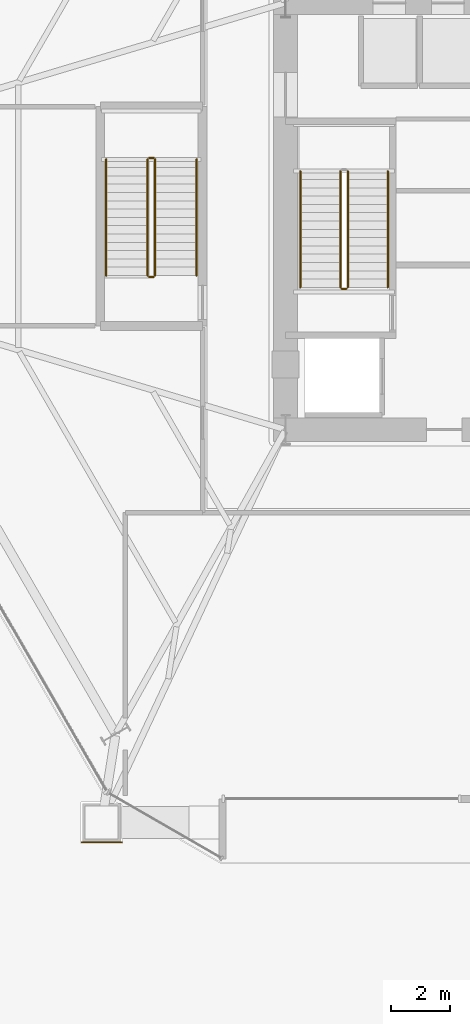
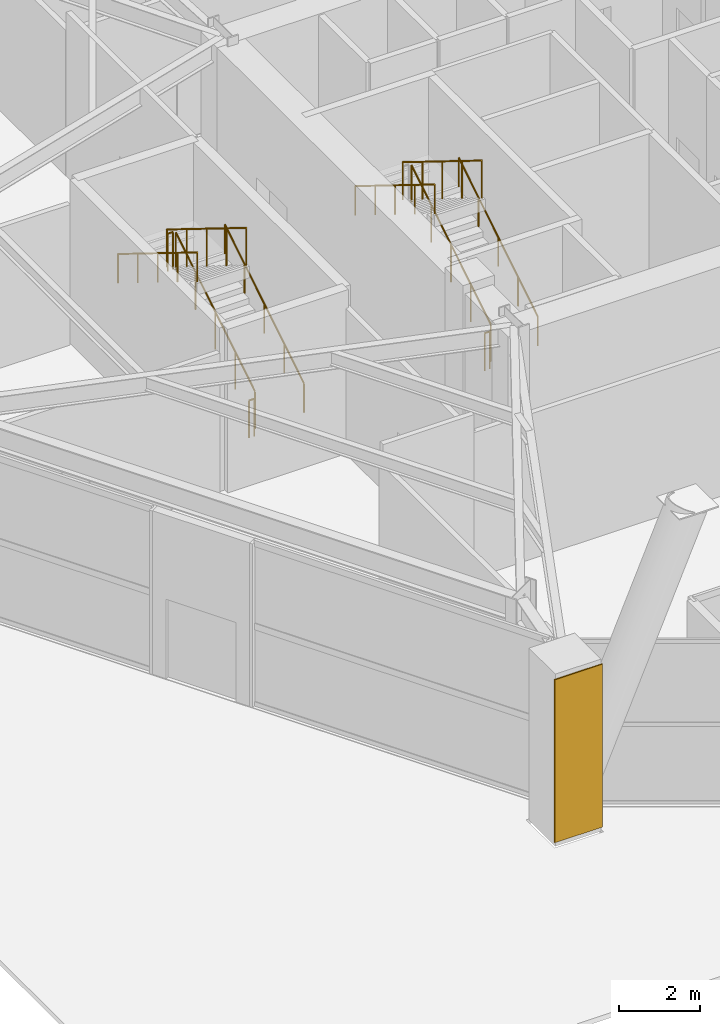
# One storey, part 22 of 26: 11 railings, 1 covering.
"""IFC4 building model written with IfcOpenShell, lengths in metres."""

from ifc_helpers import new_model, si_unit, direction, frame, origin, origin_2d, place, context, subcontext, project, spatial, rectangle, circle, extrude, material, layer, layer_set, type_object, element, save


model = new_model("IFC4")

# Units and contexts
model_context = context("Model", 3, precision=1e-05, world=origin(), true_north=direction((0.0, 1.0)))
body_context = subcontext(model_context, "Body", "Model", "MODEL_VIEW")
ifc_project = project(units=[si_unit("LENGTHUNIT", "METRE"), si_unit("AREAUNIT", "SQUARE_METRE"), si_unit("VOLUMEUNIT", "CUBIC_METRE"), si_unit("PLANEANGLEUNIT", "RADIAN"), si_unit("MASSUNIT", "GRAM", prefix="KILO")], contexts=[model_context])

# Site, building, storey
site_placement = place(None, origin())
site = spatial("IfcSite", under=ifc_project, at=site_placement, CompositionType="ELEMENT")
building_placement = place(site_placement, origin())
building = spatial("IfcBuilding", under=site, at=building_placement, Name="Kranzbogen Civic Tower", CompositionType="ELEMENT")
storey_placement = place(building_placement, origin())
storey = spatial("IfcBuildingStorey", under=building, at=storey_placement, Name="L00", CompositionType="ELEMENT", Elevation=0.0)

# Railings
ifc_material_1 = material(Name="Steel S355", Category="steel")
railing_type_1 = type_object("IfcRailingType", Name="Internal Stair and Void Steel Guardrail 1150", PredefinedType="GUARDRAIL", material=ifc_material_1)
railing_1_placement = place(storey_placement, frame((19.300048828125, 22.60009765625, 0.17333984375)))
element("IfcRailing", 1, at=railing_1_placement, inside=storey, type_object=railing_type_1, Name="L00 ST-T1 stair guard 1", PredefinedType="GUARDRAIL", context=body_context, shape_type="SweptSolid", body=[
    extrude(circle(Radius=0.02392578125, at=origin_2d()), frame((0.0, 0.0, 1.1259765625), z_axis=(0.0, 0.850251603719, 0.526376491091), x_axis=(-1.0, 0.0, 0.0)), (0.0, 0.0, 1.0), 4.6103515625),
    extrude(circle(Radius=0.02099609375, at=origin_2d()), origin(), (0.0, 0.0, 1.0), 1.101806640625),
    extrude(circle(Radius=0.02099609375, at=origin_2d()), frame((0.0, 0.97998046875, 0.606689453125)), (0.0, 0.0, 1.0), 1.101806640625),
    extrude(circle(Radius=0.02099609375, at=origin_2d()), frame((0.0, 1.9599609375, 1.21337890625)), (0.0, 0.0, 1.0), 1.101806640625),
    extrude(circle(Radius=0.02099609375, at=origin_2d()), frame((0.0, 2.93994140625, 1.820068359375)), (0.0, 0.0, 1.0), 1.101806640625),
    extrude(circle(Radius=0.02099609375, at=origin_2d()), frame((0.0, 3.919921875, 2.4267578125)), (0.0, 0.0, 1.0), 1.101806640625),
])
railing_2_placement = place(storey_placement, frame((19.050048828125, 26.52001953125, 2.7734375)))
element("IfcRailing", 2, at=railing_2_placement, inside=storey, type_object=railing_type_1, Name="L00 ST-T1 stair guard 3", PredefinedType="GUARDRAIL", context=body_context, shape_type="SweptSolid", body=[
    extrude(circle(Radius=0.02392578125, at=origin_2d()), frame((0.0, 0.0, 1.1259765625), z_axis=(0.0, -0.850275303828, 0.526338206574), x_axis=(1.0, 0.0, 0.0)), (0.0, 0.0, 1.0), 4.610107421875),
    extrude(circle(Radius=0.02099609375, at=origin_2d()), origin(), (0.0, 0.0, 1.0), 1.101806640625),
    extrude(circle(Radius=0.02099609375, at=origin_2d()), frame((0.0, -0.97998046875, 0.606689453125)), (0.0, 0.0, 1.0), 1.101806640625),
    extrude(circle(Radius=0.02099609375, at=origin_2d()), frame((0.0, -1.9599609375, 1.21337890625)), (0.0, 0.0, 1.0), 1.101806640625),
    extrude(circle(Radius=0.02099609375, at=origin_2d()), frame((0.0, -2.93994140625, 1.81982421875)), (0.0, 0.0, 1.0), 1.101806640625),
    extrude(circle(Radius=0.02099609375, at=origin_2d()), frame((0.0, -3.919921875, 2.426513671875)), (0.0, 0.0, 1.0), 1.101806640625),
])
railing_3_placement = place(storey_placement, frame((19.25, 22.550048828125, 0.0)))
element("IfcRailing", 3, at=railing_3_placement, inside=storey, type_object=railing_type_1, Name="L00 ST-T1 stair guard 4", PredefinedType="GUARDRAIL", context=body_context, shape_type="SweptSolid", body=[
    extrude(circle(Radius=0.02392578125, at=origin_2d()), frame((0.0, 0.0, 1.1259765625), z_axis=(-1.0, 0.0, 0.0), x_axis=(0.0, -1.0, 0.0)), (0.0, 0.0, 1.0), 0.14990234375),
    extrude(circle(Radius=0.02099609375, at=origin_2d()), origin(), (0.0, 0.0, 1.0), 1.101806640625),
    extrude(circle(Radius=0.02099609375, at=origin_2d()), frame((-0.14990234375, 0.0, 0.0)), (0.0, 0.0, 1.0), 1.101806640625),
])
railing_4_placement = place(storey_placement, frame((12.800048828125, 23.0, 0.17333984375)))
element("IfcRailing", 4, at=railing_4_placement, inside=storey, type_object=railing_type_1, Name="L00 ST-P1 stair guard 1", PredefinedType="GUARDRAIL", context=body_context, shape_type="SweptSolid", body=[
    extrude(circle(Radius=0.02392578125, at=origin_2d()), frame((0.0, 0.0, 1.1259765625), z_axis=(0.0, 0.850251603719, 0.526376491091), x_axis=(-1.0, 0.0, 0.0)), (0.0, 0.0, 1.0), 4.6103515625),
    extrude(circle(Radius=0.02099609375, at=origin_2d()), origin(), (0.0, 0.0, 1.0), 1.101806640625),
    extrude(circle(Radius=0.02099609375, at=origin_2d()), frame((0.0, 0.97998046875, 0.606689453125)), (0.0, 0.0, 1.0), 1.101806640625),
    extrude(circle(Radius=0.02099609375, at=origin_2d()), frame((0.0, 1.9599609375, 1.21337890625)), (0.0, 0.0, 1.0), 1.101806640625),
    extrude(circle(Radius=0.02099609375, at=origin_2d()), frame((0.0, 2.93994140625, 1.820068359375)), (0.0, 0.0, 1.0), 1.101806640625),
    extrude(circle(Radius=0.02099609375, at=origin_2d()), frame((0.0, 3.919921875, 2.4267578125)), (0.0, 0.0, 1.0), 1.101806640625),
])
railing_5_placement = place(storey_placement, frame((12.75, 26.969970703125, 2.60009765625)))
element("IfcRailing", 5, at=railing_5_placement, inside=storey, type_object=railing_type_1, Name="L00 ST-P1 stair guard 2", PredefinedType="GUARDRAIL", context=body_context, shape_type="SweptSolid", body=[
    extrude(circle(Radius=0.02392578125, at=origin_2d()), frame((0.0, 0.0, 1.1259765625), z_axis=(-1.0, 0.0, 0.0), x_axis=(0.0, -1.0, 0.0)), (0.0, 0.0, 1.0), 0.14990234375),
    extrude(circle(Radius=0.02099609375, at=origin_2d()), origin(), (0.0, 0.0, 1.0), 1.101806640625),
    extrude(circle(Radius=0.02099609375, at=origin_2d()), frame((-0.14990234375, 0.0, 0.0)), (0.0, 0.0, 1.0), 1.101806640625),
])
railing_6_placement = place(storey_placement, frame((12.550048828125, 26.919921875, 2.7734375)))
element("IfcRailing", 6, at=railing_6_placement, inside=storey, type_object=railing_type_1, Name="L00 ST-P1 stair guard 3", PredefinedType="GUARDRAIL", context=body_context, shape_type="SweptSolid", body=[
    extrude(circle(Radius=0.02392578125, at=origin_2d()), frame((0.0, 0.0, 1.1259765625), z_axis=(0.0, -0.850275303828, 0.526338206574), x_axis=(1.0, 0.0, 0.0)), (0.0, 0.0, 1.0), 4.610107421875),
    extrude(circle(Radius=0.02099609375, at=origin_2d()), origin(), (0.0, 0.0, 1.0), 1.101806640625),
    extrude(circle(Radius=0.02099609375, at=origin_2d()), frame((0.0, -0.97998046875, 0.606689453125)), (0.0, 0.0, 1.0), 1.101806640625),
    extrude(circle(Radius=0.02099609375, at=origin_2d()), frame((0.0, -1.9599609375, 1.21337890625)), (0.0, 0.0, 1.0), 1.101806640625),
    extrude(circle(Radius=0.02099609375, at=origin_2d()), frame((0.0, -2.93994140625, 1.81982421875)), (0.0, 0.0, 1.0), 1.101806640625),
    extrude(circle(Radius=0.02099609375, at=origin_2d()), frame((0.0, -3.919921875, 2.426513671875)), (0.0, 0.0, 1.0), 1.101806640625),
])
railing_7_placement = place(storey_placement, frame((12.75, 22.949951171875, 0.0)))
element("IfcRailing", 7, at=railing_7_placement, inside=storey, type_object=railing_type_1, Name="L00 ST-P1 stair guard 4", PredefinedType="GUARDRAIL", context=body_context, shape_type="SweptSolid", body=[
    extrude(circle(Radius=0.02392578125, at=origin_2d()), frame((0.0, 0.0, 1.1259765625), z_axis=(-1.0, 0.0, 0.0), x_axis=(0.0, -1.0, 0.0)), (0.0, 0.0, 1.0), 0.14990234375),
    extrude(circle(Radius=0.02099609375, at=origin_2d()), origin(), (0.0, 0.0, 1.0), 1.101806640625),
    extrude(circle(Radius=0.02099609375, at=origin_2d()), frame((-0.14990234375, 0.0, 0.0)), (0.0, 0.0, 1.0), 1.101806640625),
])

# Covering
ifc_material_2 = material(Name="Anodised Bronze Aluminium", Category="aluminium")
ifc_layer = layer(ifc_material_2, 0.034912109375, Name="Anodised Bronze Aluminium")
ifc_layer_set = layer_set([ifc_layer], Name="Anodised Bronze Aluminium")
covering_type = type_object("IfcCoveringType", Name="Portal Arch Pier Anodised Metal Cladding 35 mm", PredefinedType="CLADDING", material=ifc_layer_set)
covering_placement = place(storey_placement, frame((11.0, 3.882080078125, 0.14013671875), z_axis=(0.0, 0.0, 1.0), x_axis=(1.0, 0.0, 0.0)))
element("IfcCovering", 8, at=covering_placement, inside=storey, type_object=covering_type, Name="L00 portal arch pier 1 cladding", PredefinedType="CLADDING", context=body_context, shape_type="SweptSolid", body=[
    extrude(rectangle(XDim=1.3701171875, YDim=0.034912109375, at=origin_2d()), origin(), (0.0, 0.0, 1.0), 4.919921875),
])

# Railings
ifc_material_3 = material(Name="Pale Anodised Aluminium", Category="aluminium")
railing_type_2 = type_object("IfcRailingType", Name="Tubular Stainless Stair Wall Handrail 900", PredefinedType="HANDRAIL", material=ifc_material_3)
railing_8_placement = place(storey_placement, frame((20.64990234375, 22.60009765625, 0.17333984375)))
element("IfcRailing", 9, at=railing_8_placement, inside=storey, type_object=railing_type_2, Name="L00 ST-T1 stair handrail 1", PredefinedType="HANDRAIL", context=body_context, shape_type="SweptSolid", body=[
    extrude(circle(Radius=0.02392578125, at=origin_2d()), frame((0.0, 0.0, 0.8759765625), z_axis=(0.0, 0.850251603719, 0.526376491091), x_axis=(-1.0, 0.0, 0.0)), (0.0, 0.0, 1.0), 4.6103515625),
    extrude(circle(Radius=0.02099609375, at=origin_2d()), origin(), (0.0, 0.0, 1.0), 0.851806640625),
    extrude(circle(Radius=0.02099609375, at=origin_2d()), frame((0.0, 0.97998046875, 0.606689453125)), (0.0, 0.0, 1.0), 0.851806640625),
    extrude(circle(Radius=0.02099609375, at=origin_2d()), frame((0.0, 1.9599609375, 1.21337890625)), (0.0, 0.0, 1.0), 0.851806640625),
    extrude(circle(Radius=0.02099609375, at=origin_2d()), frame((0.0, 2.93994140625, 1.820068359375)), (0.0, 0.0, 1.0), 0.851806640625),
    extrude(circle(Radius=0.02099609375, at=origin_2d()), frame((0.0, 3.919921875, 2.4267578125)), (0.0, 0.0, 1.0), 0.851806640625),
])
railing_9_placement = place(storey_placement, frame((17.699951171875, 26.52001953125, 2.7734375)))
element("IfcRailing", 10, at=railing_9_placement, inside=storey, type_object=railing_type_2, Name="L00 ST-T1 stair handrail 2", PredefinedType="HANDRAIL", context=body_context, shape_type="SweptSolid", body=[
    extrude(circle(Radius=0.02392578125, at=origin_2d()), frame((0.0, 0.0, 0.8759765625), z_axis=(0.0, -0.850275303828, 0.526338206574), x_axis=(1.0, 0.0, 0.0)), (0.0, 0.0, 1.0), 4.610107421875),
    extrude(circle(Radius=0.02099609375, at=origin_2d()), origin(), (0.0, 0.0, 1.0), 0.851806640625),
    extrude(circle(Radius=0.02099609375, at=origin_2d()), frame((0.0, -0.97998046875, 0.606689453125)), (0.0, 0.0, 1.0), 0.851806640625),
    extrude(circle(Radius=0.02099609375, at=origin_2d()), frame((0.0, -1.9599609375, 1.21337890625)), (0.0, 0.0, 1.0), 0.851806640625),
    extrude(circle(Radius=0.02099609375, at=origin_2d()), frame((0.0, -2.93994140625, 1.81982421875)), (0.0, 0.0, 1.0), 0.851806640625),
    extrude(circle(Radius=0.02099609375, at=origin_2d()), frame((0.0, -3.919921875, 2.426513671875)), (0.0, 0.0, 1.0), 0.851806640625),
])
railing_10_placement = place(storey_placement, frame((14.199951171875, 23.0, 0.17333984375)))
element("IfcRailing", 11, at=railing_10_placement, inside=storey, type_object=railing_type_2, Name="L00 ST-P1 stair handrail 1", PredefinedType="HANDRAIL", context=body_context, shape_type="SweptSolid", body=[
    extrude(circle(Radius=0.02392578125, at=origin_2d()), frame((0.0, 0.0, 0.8759765625), z_axis=(0.0, 0.850251603719, 0.526376491091), x_axis=(-1.0, 0.0, 0.0)), (0.0, 0.0, 1.0), 4.6103515625),
    extrude(circle(Radius=0.02099609375, at=origin_2d()), origin(), (0.0, 0.0, 1.0), 0.851806640625),
    extrude(circle(Radius=0.02099609375, at=origin_2d()), frame((0.0, 0.97998046875, 0.606689453125)), (0.0, 0.0, 1.0), 0.851806640625),
    extrude(circle(Radius=0.02099609375, at=origin_2d()), frame((0.0, 1.9599609375, 1.21337890625)), (0.0, 0.0, 1.0), 0.851806640625),
    extrude(circle(Radius=0.02099609375, at=origin_2d()), frame((0.0, 2.93994140625, 1.820068359375)), (0.0, 0.0, 1.0), 0.851806640625),
    extrude(circle(Radius=0.02099609375, at=origin_2d()), frame((0.0, 3.919921875, 2.4267578125)), (0.0, 0.0, 1.0), 0.851806640625),
])
railing_11_placement = place(storey_placement, frame((11.14990234375, 26.919921875, 2.7734375)))
element("IfcRailing", 12, at=railing_11_placement, inside=storey, type_object=railing_type_2, Name="L00 ST-P1 stair handrail 2", PredefinedType="HANDRAIL", context=body_context, shape_type="SweptSolid", body=[
    extrude(circle(Radius=0.02392578125, at=origin_2d()), frame((0.0, 0.0, 0.8759765625), z_axis=(0.0, -0.850275303828, 0.526338206574), x_axis=(1.0, 0.0, 0.0)), (0.0, 0.0, 1.0), 4.610107421875),
    extrude(circle(Radius=0.02099609375, at=origin_2d()), origin(), (0.0, 0.0, 1.0), 0.851806640625),
    extrude(circle(Radius=0.02099609375, at=origin_2d()), frame((0.0, -0.97998046875, 0.606689453125)), (0.0, 0.0, 1.0), 0.851806640625),
    extrude(circle(Radius=0.02099609375, at=origin_2d()), frame((0.0, -1.9599609375, 1.21337890625)), (0.0, 0.0, 1.0), 0.851806640625),
    extrude(circle(Radius=0.02099609375, at=origin_2d()), frame((0.0, -2.93994140625, 1.81982421875)), (0.0, 0.0, 1.0), 0.851806640625),
    extrude(circle(Radius=0.02099609375, at=origin_2d()), frame((0.0, -3.919921875, 2.426513671875)), (0.0, 0.0, 1.0), 0.851806640625),
])

save(model, "model.ifc")
